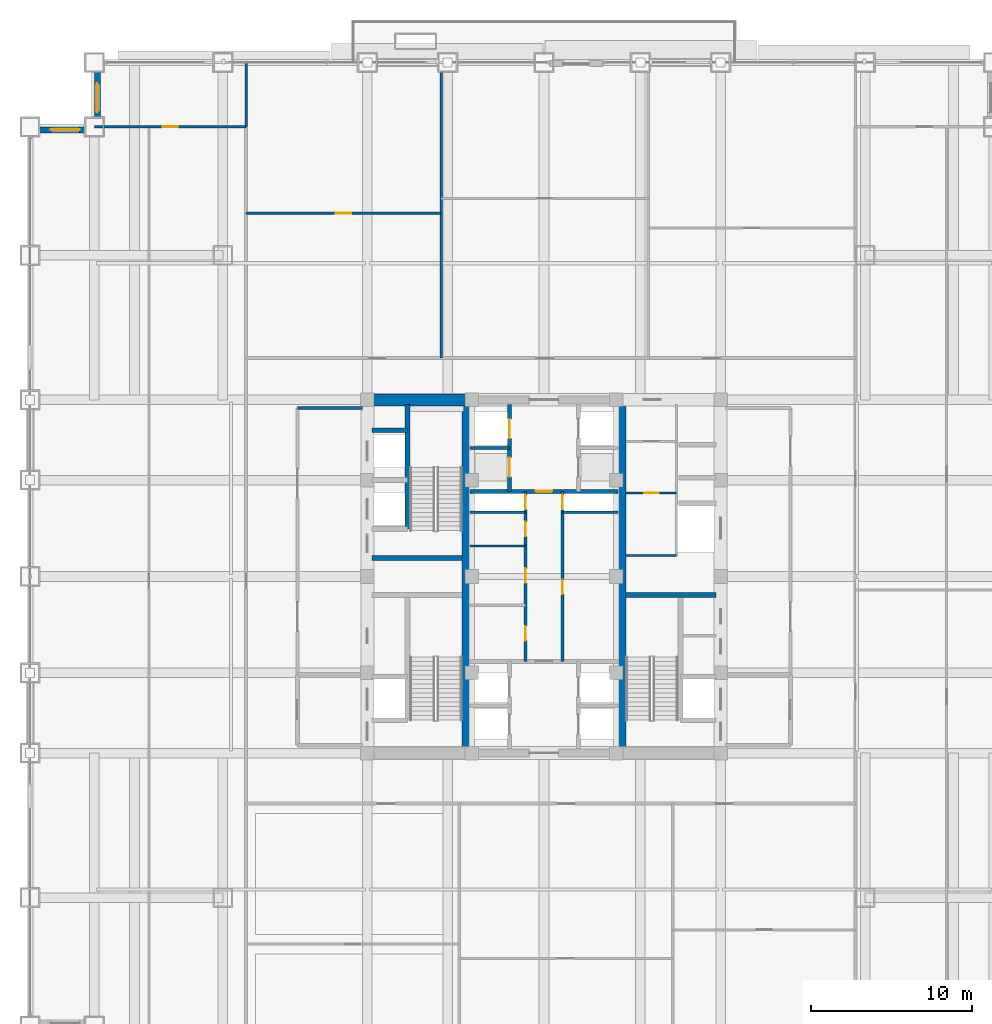
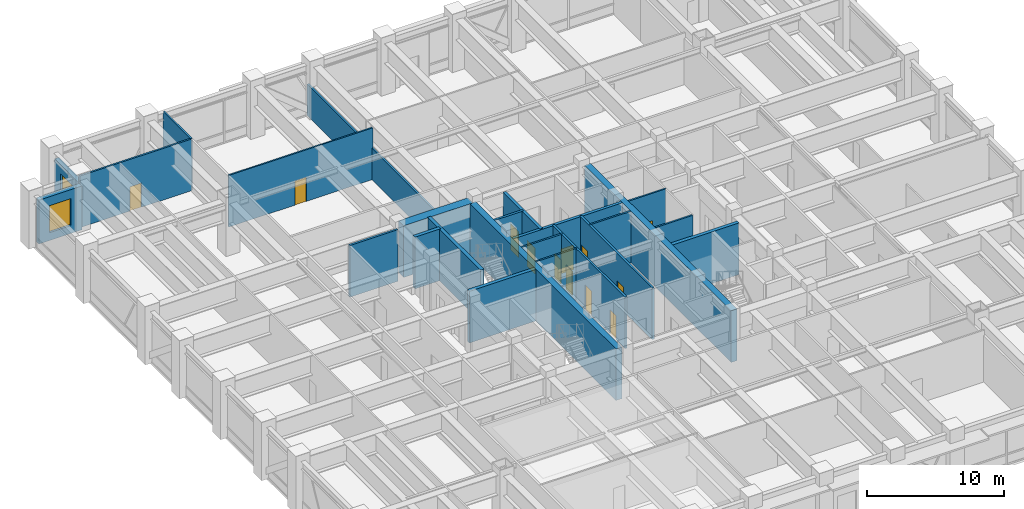
# One storey, part 26 of 34: 24 walls, 12 doors, 2 windows, 14 openings.
"""IFC4 building model written with IfcOpenShell, lengths in metres."""

from ifc_helpers import new_model, si_unit, direction, frame, frame_2d, origin, place, context, subcontext, project, spatial, rectangle, extrude, source, transform, mapped, material, layer, layer_set, type_object, element, fill, save


model = new_model("IFC4")

# Units and contexts
model_context = context("Model", 3, precision=1e-05, world=origin(), true_north=direction((0.0, 1.0)))
body_context = subcontext(model_context, "Body", "Model", "MODEL_VIEW")
ifc_project = project(units=[si_unit("LENGTHUNIT", "METRE"), si_unit("AREAUNIT", "SQUARE_METRE"), si_unit("VOLUMEUNIT", "CUBIC_METRE"), si_unit("PLANEANGLEUNIT", "RADIAN"), si_unit("MASSUNIT", "GRAM", prefix="KILO")], contexts=[model_context])

# Site, building, storey
site_placement = place(None, origin())
site = spatial("IfcSite", under=ifc_project, at=site_placement, CompositionType="ELEMENT")
building_placement = place(site_placement, origin())
building = spatial("IfcBuilding", under=site, at=building_placement, Name="Khorayat Bourse Tower", CompositionType="ELEMENT")
storey_placement = place(building_placement, frame((0.0, 0.0, 144.699951171875)))
storey = spatial("IfcBuildingStorey", under=building, at=storey_placement, Name="L33", CompositionType="ELEMENT", Elevation=144.699951171875)

# Walls
ifc_material_1 = material(Name="Concrete C52/65", Category="concrete")
ifc_layer_1 = layer(ifc_material_1, 0.5)
ifc_layer_set_1 = layer_set([ifc_layer_1], Name="Concrete C52/65")
wall_type_1 = type_object("IfcWallType", Name="WAL-CORE-500", PredefinedType="SHEAR", material=ifc_layer_set_1)
shared_shape_1 = source(origin(), body_context, "Body", "SweptSolid", [
    extrude(rectangle(XDim=21.39990234375, YDim=0.5, at=frame_2d((10.699951171875, 0.0))), origin(), (0.0, 0.0, 1.0), 4.60009765625),
])
for number, where, z_axis, x_axis, name in (
    (1, (-4.85009765625, -10.699951171875, 0.0), (0.0, 0.0, 1.0), (0.0, 1.0, 0.0), "L33 Core Shear Wall PIER-W"),
    (2, (4.85009765625, -10.699951171875, 0.0), (0.0, 0.0, 1.0), (0.0, 1.0, 0.0), "L33 Core Shear Wall PIER-E"),
):
    element("IfcWall", number, at=place(storey_placement, frame(where, z_axis=z_axis, x_axis=x_axis)), inside=storey, type_object=wall_type_1, Name=name, PredefinedType="SHEAR", context=body_context, shape_type="MappedRepresentation", body=[
        mapped(shared_shape_1, transform((0.0, 0.0, 0.0), scale=1.0)),
    ])
ifc_material_2 = material(Name="Concrete C72/90", Category="concrete")
ifc_layer_2 = layer(ifc_material_2, 0.75)
ifc_layer_set_2 = layer_set([ifc_layer_2], Name="Concrete C72/90")
wall_type_2 = type_object("IfcWallType", Name="WAL-CORE-750", PredefinedType="SHEAR", material=ifc_layer_set_2)
shared_shape_2 = source(origin(), body_context, "Body", "SweptSolid", [
    extrude(rectangle(XDim=5.849853515625, YDim=0.75, at=frame_2d((2.9248046875, 0.0))), origin(), (0.0, 0.0, 1.0), 4.60009765625),
])
wall_1_placement = place(storey_placement, frame((-10.699951171875, 11.0, 0.0), z_axis=(0.0, 0.0, 1.0), x_axis=(1.0, 0.0, 0.0)))
element("IfcWall", 3, at=wall_1_placement, inside=storey, type_object=wall_type_2, Name="L33 Core Shear Wall PIER-WN", PredefinedType="SHEAR", context=body_context, shape_type="MappedRepresentation", body=[
    mapped(shared_shape_2, transform((0.0, 0.0, 0.0), scale=1.0)),
])
ifc_material_3 = material(Name="Concrete C50/60", Category="concrete")
ifc_layer_3 = layer(ifc_material_3, 0.300048828125)
ifc_layer_set_3 = layer_set([ifc_layer_3], Name="Concrete C50/60")
wall_type_3 = type_object("IfcWallType", Name="WAL-SHAFT-300", PredefinedType="SHEAR", material=ifc_layer_set_3)
shared_shape_3 = source(origin(), body_context, "Body", "SweptSolid", [
    extrude(rectangle(XDim=5.599853515625, YDim=0.300048828125, at=frame_2d((2.7998046875, 0.0))), origin(), (0.0, 0.0, 1.0), 4.60009765625),
])
for number, where, z_axis, x_axis, name in (
    (4, (-10.699951171875, 1.14990234375, 0.0), (0.0, 0.0, 1.0), (1.0, 0.0, 0.0), "L33 Core Shear Wall ST2-DIV"),
    (5, (5.10009765625, -1.14990234375, 0.0), (0.0, 0.0, 1.0), (1.0, 0.0, 0.0), "L33 Core Shear Wall ST3-DIV"),
):
    element("IfcWall", number, at=place(storey_placement, frame(where, z_axis=z_axis, x_axis=x_axis)), inside=storey, type_object=wall_type_3, Name=name, PredefinedType="SHEAR", context=body_context, shape_type="MappedRepresentation", body=[
        mapped(shared_shape_3, transform((0.0, 0.0, 0.0), scale=1.0)),
    ])

# Wall, opening, window
ifc_material_4 = material(Name="Precast concrete C45/55", Category="concrete")
ifc_layer_4 = layer(ifc_material_4, 0.3798828125)
ifc_layer_set_4 = layer_set([ifc_layer_4], Name="Precast concrete C45/55")
wall_type_4 = type_object("IfcWallType", Name="WAL-EXT-STONE-380", PredefinedType="STANDARD", material=ifc_layer_set_4)
shared_shape_4 = source(origin(), body_context, "Body", "SweptSolid", [
    extrude(rectangle(XDim=3.6201171875, YDim=0.3798828125, at=frame_2d((1.81005859375, 0.0))), origin(), (0.0, 0.0, 1.0), 3.905029296875),
])
wall_2_placement = place(storey_placement, frame((-27.81005859375, 28.0, 0.0), z_axis=(0.0, 0.0, 1.0), x_axis=(0.0, 1.0, 0.0)))
wall_2 = element("IfcWall", 6, at=wall_2_placement, inside=storey, type_object=wall_type_4, Name="L33 Re-Entrant Notch Limestone Wall NW-V", PredefinedType="STANDARD", context=body_context, shape_type="MappedRepresentation", body=[
    mapped(shared_shape_4, transform((0.0, 0.0, 0.0), scale=1.0)),
])
shared_shape_5 = source(origin(), body_context, "Body", "SweptSolid", [
    extrude(rectangle(XDim=1.800048828125, YDim=2.39990234375, at=frame_2d((0.89990234375, 1.199951171875))), frame((0.0, 0.199951171875, 0.0), z_axis=(0.0, -1.0, 0.0), x_axis=(1.0, 0.0, 0.0)), (0.0, 0.0, 1.0), 0.39990234375),
])
opening_1_placement = place(wall_2_placement, frame((0.909912109375, 0.0, 0.699951171875)))
opening_1 = element("IfcOpeningElement", 7, at=opening_1_placement, cuts=wall_2, Name="Opening WN-04", PredefinedType="OPENING", context=body_context, shape_type="MappedRepresentation", body=[
    mapped(shared_shape_5, transform((0.0, 0.0, 0.0), scale=1.0)),
])
ifc_material_5 = material(Name="Low-E acoustic laminated double glazing", Category="glass")
window_type = type_object("IfcWindowType", Name="WIN-NOTCH-1800x2400", PartitioningType="SINGLE_PANEL", PredefinedType="WINDOW", material=ifc_material_5)
shared_shape_6 = source(origin(), body_context, "Body", "SweptSolid", [
    extrude(rectangle(XDim=1.800048828125, YDim=2.39990234375, at=frame_2d((0.89990234375, 1.199951171875))), frame((0.0, 0.030029296875, 0.0), z_axis=(0.0, -1.0, 0.0), x_axis=(1.0, 0.0, 0.0)), (0.0, 0.0, 1.0), 0.06005859375),
])
window_1_placement = place(opening_1_placement, origin())
window_1 = element("IfcWindow", 8, at=window_1_placement, inside=storey, type_object=window_type, Name="L33 Facade Window 1", OverallHeight=2.39990234375, OverallWidth=1.800048828125, PartitioningType="SINGLE_PANEL", PredefinedType="WINDOW", context=body_context, shape_type="MappedRepresentation", body=[
    mapped(shared_shape_6, transform((0.0, 0.0, 0.0), scale=1.0)),
])
fill(opening_1, window_1)

wall_3_placement = place(storey_placement, frame((-28.0, 27.81005859375, 0.0), z_axis=(0.0, 0.0, 1.0), x_axis=(-1.0, 0.0, 0.0)))
wall_3 = element("IfcWall", 9, at=wall_3_placement, inside=storey, type_object=wall_type_4, Name="L33 Re-Entrant Notch Limestone Wall NW-H", PredefinedType="STANDARD", context=body_context, shape_type="MappedRepresentation", body=[
    mapped(shared_shape_4, transform((0.0, 0.0, 0.0), scale=1.0)),
])
opening_2_placement = place(wall_3_placement, frame((0.909912109375, 0.0, 0.699951171875)))
opening_2 = element("IfcOpeningElement", 10, at=opening_2_placement, cuts=wall_3, Name="Opening WN-04", PredefinedType="OPENING", context=body_context, shape_type="MappedRepresentation", body=[
    mapped(shared_shape_5, transform((0.0, 0.0, 0.0), scale=1.0)),
])
window_2_placement = place(opening_2_placement, origin())
window_2 = element("IfcWindow", 11, at=window_2_placement, inside=storey, type_object=window_type, Name="L33 Facade Window 1", OverallHeight=2.39990234375, OverallWidth=1.800048828125, PartitioningType="SINGLE_PANEL", PredefinedType="WINDOW", context=body_context, shape_type="MappedRepresentation", body=[
    mapped(shared_shape_6, transform((0.0, 0.0, 0.0), scale=1.0)),
])
fill(opening_2, window_2)

# Walls
shared_shape_7 = source(origin(), body_context, "Body", "SweptSolid", [
    extrude(rectangle(XDim=2.199951171875, YDim=0.300048828125, at=frame_2d((1.10009765625, 0.0))), origin(), (0.0, 0.0, 1.0), 4.60009765625),
])
wall_4_placement = place(storey_placement, frame((-10.699951171875, 9.10009765625, 0.0), z_axis=(0.0, 0.0, 1.0), x_axis=(1.0, 0.0, 0.0)))
element("IfcWall", 12, at=wall_4_placement, inside=storey, type_object=wall_type_3, Name="L33 Partition WAL-L33-WPIER-H2N", PredefinedType="SHEAR", context=body_context, shape_type="MappedRepresentation", body=[
    mapped(shared_shape_7, transform((0.0, 0.0, 0.0), scale=1.0)),
])
shared_shape_8 = source(origin(), body_context, "Body", "SweptSolid", [
    extrude(rectangle(XDim=7.75, YDim=0.300048828125, at=frame_2d((3.875, 0.0))), origin(), (0.0, 0.0, 1.0), 4.60009765625),
])
wall_5_placement = place(storey_placement, frame((-8.5, 2.949951171875, 0.0), z_axis=(0.0, 0.0, 1.0), x_axis=(0.0, 1.0, 0.0)))
element("IfcWall", 13, at=wall_5_placement, inside=storey, type_object=wall_type_3, Name="L33 Partition WAL-L33-WPIER-ST2S", PredefinedType="SHEAR", context=body_context, shape_type="MappedRepresentation", body=[
    mapped(shared_shape_8, transform((0.0, 0.0, 0.0), scale=1.0)),
])
ifc_material_6 = material(Name="Moisture-resistant masonry partition", Category="masonry")
ifc_layer_5 = layer(ifc_material_6, 0.139892578125)
ifc_layer_set_5 = layer_set([ifc_layer_5], Name="Moisture-resistant masonry partition")
wall_type_5 = type_object("IfcWallType", Name="WAL-PART-WET-140", PredefinedType="PARTITIONING", material=ifc_layer_set_5)
shared_shape_9 = source(origin(), body_context, "Body", "SweptSolid", [
    extrude(rectangle(XDim=3.14990234375, YDim=0.139892578125, at=frame_2d((1.574951171875, 0.0))), origin(), (0.0, 0.0, 1.0), 4.60009765625),
])
wall_6_placement = place(storey_placement, frame((5.10009765625, 1.300048828125, 0.0), z_axis=(0.0, 0.0, 1.0), x_axis=(1.0, 0.0, 0.0)))
element("IfcWall", 14, at=wall_6_placement, inside=storey, type_object=wall_type_5, Name="L33 Partition WAL-L33-ECORE-S", PredefinedType="PARTITIONING", context=body_context, shape_type="MappedRepresentation", body=[
    mapped(shared_shape_9, transform((0.0, 0.0, 0.0), scale=1.0)),
])

# Wall, opening, door
wall_7_placement = place(storey_placement, frame((5.10009765625, 5.199951171875, 0.0), z_axis=(0.0, 0.0, 1.0), x_axis=(1.0, 0.0, 0.0)))
wall_7 = element("IfcWall", 15, at=wall_7_placement, inside=storey, type_object=wall_type_5, Name="L33 Partition WAL-L33-ECW-HZ", PredefinedType="PARTITIONING", context=body_context, shape_type="MappedRepresentation", body=[
    mapped(shared_shape_9, transform((0.0, 0.0, 0.0), scale=1.0)),
])
shared_shape_10 = source(origin(), body_context, "Body", "SweptSolid", [
    extrude(rectangle(XDim=0.89990234375, YDim=2.14990234375, at=frame_2d((0.449951171875, 1.074951171875))), frame((0.0, 0.079833984375, 0.0), z_axis=(0.0, -1.0, 0.0), x_axis=(1.0, 0.0, 0.0)), (0.0, 0.0, 1.0), 0.159912109375),
])
opening_3_placement = place(wall_7_placement, frame((1.1298828125, 0.0, 0.0)))
opening_3 = element("IfcOpeningElement", 16, at=opening_3_placement, cuts=wall_7, Name="Opening DI-06", PredefinedType="OPENING", context=body_context, shape_type="MappedRepresentation", body=[
    mapped(shared_shape_10, transform((0.0, 0.0, 0.0), scale=1.0)),
])
ifc_material_7 = material(Name="Moisture-resistant laminate washroom door")
door_type_1 = type_object("IfcDoorType", Name="DR-INT-WC-900", OperationType="NOTDEFINED", PredefinedType="DOOR", material=ifc_material_7)
shared_shape_11 = source(origin(), body_context, "Body", "SweptSolid", [
    extrude(rectangle(XDim=0.89990234375, YDim=2.14990234375, at=frame_2d((0.449951171875, 1.074951171875))), frame((0.0, 0.02490234375, 0.0), z_axis=(0.0, -1.0, 0.0), x_axis=(1.0, 0.0, 0.0)), (0.0, 0.0, 1.0), 0.050048828125),
])
door_1_placement = place(opening_3_placement, origin())
door_1 = element("IfcDoor", 17, at=door_1_placement, inside=storey, type_object=door_type_1, Name="L33 Shared Washroom Door", OperationType="SINGLE_SWING_RIGHT", OverallHeight=2.14990234375, OverallWidth=0.89990234375, PredefinedType="DOOR", context=body_context, shape_type="MappedRepresentation", body=[
    mapped(shared_shape_11, transform((0.0, 0.0, 0.0), scale=1.0)),
])
fill(opening_3, door_1)

# Walls
ifc_material_8 = material(Name="Gypsum plasterboard acoustic stud wall")
ifc_layer_6 = layer(ifc_material_8, 0.179931640625)
ifc_layer_set_6 = layer_set([ifc_layer_6], Name="Gypsum plasterboard acoustic stud wall")
wall_type_6 = type_object("IfcWallType", Name="WAL-PART-CORR-180", PredefinedType="PARTITIONING", material=ifc_layer_set_6)
shared_shape_12 = source(origin(), body_context, "Body", "SweptSolid", [
    extrude(rectangle(XDim=4.050048828125, YDim=0.179931640625, at=frame_2d((2.02490234375, 0.0))), origin(), (0.0, 0.0, 1.0), 4.60009765625),
])
wall_8_placement = place(storey_placement, frame((-15.35009765625, 10.5, 0.0), z_axis=(0.0, 0.0, 1.0), x_axis=(1.0, 0.0, 0.0)))
element("IfcWall", 18, at=wall_8_placement, inside=storey, type_object=wall_type_6, Name="L33 Partition WAL-L33-WLOB-N", PredefinedType="PARTITIONING", context=body_context, shape_type="MappedRepresentation", body=[
    mapped(shared_shape_12, transform((0.0, 0.0, 0.0), scale=1.0)),
])
ifc_material_9 = material(Name="Gypsum plasterboard twin-frame partition")
ifc_layer_7 = layer(ifc_material_9, 0.14990234375)
ifc_layer_set_7 = layer_set([ifc_layer_7], Name="Gypsum plasterboard twin-frame partition")
wall_type_7 = type_object("IfcWallType", Name="WAL-PART-SUITE-150", PredefinedType="PARTITIONING", material=ifc_layer_set_7)
shared_shape_13 = source(origin(), body_context, "Body", "SweptSolid", [
    extrude(rectangle(XDim=3.4501953125, YDim=0.14990234375, at=frame_2d((1.72509765625, 0.0))), origin(), (0.0, 0.0, 1.0), 4.60009765625),
])
for number, where, z_axis, x_axis, name in (
    (19, (-4.60009765625, 4.0, 0.0), (0.0, 0.0, 1.0), (1.0, 0.0, 0.0), "L33 Partition WAL-L33-CRSW-S"),
    (20, (1.14990234375, 4.0, 0.0), (0.0, 0.0, 1.0), (1.0, 0.0, 0.0), "L33 Partition WAL-L33-CRSE-S"),
):
    element("IfcWall", number, at=place(storey_placement, frame(where, z_axis=z_axis, x_axis=x_axis)), inside=storey, type_object=wall_type_7, Name=name, PredefinedType="PARTITIONING", context=body_context, shape_type="MappedRepresentation", body=[
        mapped(shared_shape_13, transform((0.0, 0.0, 0.0), scale=1.0)),
    ])

# Wall, openings, doors
shared_shape_14 = source(origin(), body_context, "Body", "SweptSolid", [
    extrude(rectangle(XDim=5.39990234375, YDim=0.25, at=frame_2d((2.699951171875, 0.0))), origin(), (0.0, 0.0, 1.0), 4.60009765625),
])
wall_9_placement = place(storey_placement, frame((-2.14990234375, 5.300048828125, 0.0), z_axis=(0.0, 0.0, 1.0), x_axis=(0.0, 1.0, 0.0)))
wall_9 = element("IfcWall", 21, at=wall_9_placement, inside=storey, type_object=wall_type_3, Name="L33 Partition WAL-L33-B2-W", PredefinedType="SHEAR", context=body_context, shape_type="MappedRepresentation", body=[
    mapped(shared_shape_14, transform((0.0, 0.0, 0.0), scale=1.0)),
])
shared_shape_15 = source(origin(), body_context, "Body", "SweptSolid", [
    extrude(rectangle(XDim=1.199951171875, YDim=2.300048828125, at=frame_2d((0.60009765625, 1.14990234375))), frame((0.0, 0.135009765625, 0.0), z_axis=(0.0, -1.0, 0.0), x_axis=(1.0, 0.0, 0.0)), (0.0, 0.0, 1.0), 0.27001953125),
])
opening_4_placement = place(wall_9_placement, frame((3.300048828125, 0.0, 0.0)))
opening_4 = element("IfcOpeningElement", 22, at=opening_4_placement, cuts=wall_9, Name="Opening LD-01", PredefinedType="OPENING", context=body_context, shape_type="MappedRepresentation", body=[
    mapped(shared_shape_15, transform((0.0, 0.0, 0.0), scale=1.0)),
])
opening_5_placement = place(wall_9_placement, frame((0.89990234375, 0.0, 0.0)))
opening_5 = element("IfcOpeningElement", 23, at=opening_5_placement, cuts=wall_9, Name="Opening LD-01", PredefinedType="OPENING", context=body_context, shape_type="MappedRepresentation", body=[
    mapped(shared_shape_15, transform((0.0, 0.0, 0.0), scale=1.0)),
])
ifc_material_10 = material(Name="Brushed bronze stainless-steel sliding door", Category="steel")
door_type_2 = type_object("IfcDoorType", Name="DR-LIFT-PASS-1200", OperationType="NOTDEFINED", PredefinedType="DOOR", material=ifc_material_10)
shared_shape_16 = source(origin(), body_context, "Body", "SweptSolid", [
    extrude(rectangle(XDim=1.199951171875, YDim=2.300048828125, at=frame_2d((0.60009765625, 1.14990234375))), frame((0.0, 0.02490234375, 0.0), z_axis=(0.0, -1.0, 0.0), x_axis=(1.0, 0.0, 0.0)), (0.0, 0.0, 1.0), 0.050048828125),
])
door_2_placement = place(opening_4_placement, origin())
door_2 = element("IfcDoor", 24, at=door_2_placement, inside=storey, type_object=door_type_2, Name="L33 Lift PL-M1 Sliding Landing Door", OperationType="SLIDING_TO_LEFT", OverallHeight=2.300048828125, OverallWidth=1.199951171875, PredefinedType="DOOR", context=body_context, shape_type="MappedRepresentation", body=[
    mapped(shared_shape_16, transform((0.0, 0.0, 0.0), scale=1.0)),
])
fill(opening_4, door_2)
door_3_placement = place(opening_5_placement, origin())
door_3 = element("IfcDoor", 25, at=door_3_placement, inside=storey, type_object=door_type_2, Name="L33 Lift PL-M3 Sliding Landing Door", OperationType="SLIDING_TO_LEFT", OverallHeight=2.300048828125, OverallWidth=1.199951171875, PredefinedType="DOOR", context=body_context, shape_type="MappedRepresentation", body=[
    mapped(shared_shape_16, transform((0.0, 0.0, 0.0), scale=1.0)),
])
fill(opening_5, door_3)

# Wall
shared_shape_17 = source(origin(), body_context, "Body", "SweptSolid", [
    extrude(rectangle(XDim=2.4501953125, YDim=0.199951171875, at=frame_2d((1.22509765625, 0.0))), origin(), (0.0, 0.0, 1.0), 4.60009765625),
])
wall_10_placement = place(storey_placement, frame((-4.60009765625, 8.0, 0.0), z_axis=(0.0, 0.0, 1.0), x_axis=(1.0, 0.0, 0.0)))
element("IfcWall", 26, at=wall_10_placement, inside=storey, type_object=wall_type_3, Name="L33 Partition WAL-L33-B2-MW", PredefinedType="SHEAR", context=body_context, shape_type="MappedRepresentation", body=[
    mapped(shared_shape_17, transform((0.0, 0.0, 0.0), scale=1.0)),
])

# Wall, opening, door
shared_shape_18 = source(origin(), body_context, "Body", "SweptSolid", [
    extrude(rectangle(XDim=9.2001953125, YDim=0.25, at=frame_2d((4.60009765625, 0.0))), origin(), (0.0, 0.0, 1.0), 4.60009765625),
])
wall_11_placement = place(storey_placement, frame((-4.60009765625, 5.300048828125, 0.0), z_axis=(0.0, 0.0, 1.0), x_axis=(1.0, 0.0, 0.0)))
wall_11 = element("IfcWall", 27, at=wall_11_placement, inside=storey, type_object=wall_type_3, Name="L33 Partition WAL-L33-B2-S", PredefinedType="SHEAR", context=body_context, shape_type="MappedRepresentation", body=[
    mapped(shared_shape_18, transform((0.0, 0.0, 0.0), scale=1.0)),
])
shared_shape_19 = source(origin(), body_context, "Body", "SweptSolid", [
    extrude(rectangle(XDim=1.050048828125, YDim=2.199951171875, at=frame_2d((0.52490234375, 1.10009765625))), frame((0.0, 0.135009765625, 0.0), z_axis=(0.0, -1.0, 0.0), x_axis=(1.0, 0.0, 0.0)), (0.0, 0.0, 1.0), 0.27001953125),
])
opening_6_placement = place(wall_11_placement, frame((4.074951171875, 0.0, 0.0)))
opening_6 = element("IfcOpeningElement", 28, at=opening_6_placement, cuts=wall_11, Name="Opening DI-04", PredefinedType="OPENING", context=body_context, shape_type="MappedRepresentation", body=[
    mapped(shared_shape_19, transform((0.0, 0.0, 0.0), scale=1.0)),
])
ifc_material_11 = material(Name="Fire-rated oak veneer suite entrance door")
door_type_3 = type_object("IfcDoorType", Name="DR-INT-SUITE-1050", OperationType="NOTDEFINED", PredefinedType="DOOR", material=ifc_material_11)
shared_shape_20 = source(origin(), body_context, "Body", "SweptSolid", [
    extrude(rectangle(XDim=1.050048828125, YDim=2.199951171875, at=frame_2d((0.52490234375, 1.10009765625))), frame((0.0, 0.02490234375, 0.0), z_axis=(0.0, -1.0, 0.0), x_axis=(1.0, 0.0, 0.0)), (0.0, 0.0, 1.0), 0.050048828125),
])
door_4_placement = place(opening_6_placement, origin())
door_4 = element("IfcDoor", 29, at=door_4_placement, inside=storey, type_object=door_type_3, Name="L33 Core Spine North Door", OperationType="SINGLE_SWING_RIGHT", OverallHeight=2.199951171875, OverallWidth=1.050048828125, PredefinedType="DOOR", context=body_context, shape_type="MappedRepresentation", body=[
    mapped(shared_shape_20, transform((0.0, 0.0, 0.0), scale=1.0)),
])
fill(opening_6, door_4)

# Wall
shared_shape_21 = source(origin(), body_context, "Body", "SweptSolid", [
    extrude(rectangle(XDim=3.4501953125, YDim=0.139892578125, at=frame_2d((1.72509765625, 0.0))), origin(), (0.0, 0.0, 1.0), 4.60009765625),
])
wall_12_placement = place(storey_placement, frame((-4.60009765625, 1.89990234375, 0.0), z_axis=(0.0, 0.0, 1.0), x_axis=(1.0, 0.0, 0.0)))
element("IfcWall", 30, at=wall_12_placement, inside=storey, type_object=wall_type_5, Name="L33 Partition WAL-L33-CMW-D2", PredefinedType="PARTITIONING", context=body_context, shape_type="MappedRepresentation", body=[
    mapped(shared_shape_21, transform((0.0, 0.0, 0.0), scale=1.0)),
])

# Wall, openings, doors
shared_shape_22 = source(origin(), body_context, "Body", "SweptSolid", [
    extrude(rectangle(XDim=10.60009765625, YDim=0.179931640625, at=frame_2d((5.300048828125, 0.0))), origin(), (0.0, 0.0, 1.0), 4.60009765625),
])
wall_13_placement = place(storey_placement, frame((-1.14990234375, -5.300048828125, 0.0), z_axis=(0.0, 0.0, 1.0), x_axis=(0.0, 1.0, 0.0)))
wall_13 = element("IfcWall", 31, at=wall_13_placement, inside=storey, type_object=wall_type_6, Name="L33 Partition WAL-L33-CMW-L", PredefinedType="PARTITIONING", context=body_context, shape_type="MappedRepresentation", body=[
    mapped(shared_shape_22, transform((0.0, 0.0, 0.0), scale=1.0)),
])
shared_shape_23 = source(origin(), body_context, "Body", "SweptSolid", [
    extrude(rectangle(XDim=0.89990234375, YDim=2.14990234375, at=frame_2d((0.449951171875, 1.074951171875))), frame((0.0, 0.099853515625, 0.0), z_axis=(0.0, -1.0, 0.0), x_axis=(1.0, 0.0, 0.0)), (0.0, 0.0, 1.0), 0.199951171875),
])
opening_7_placement = place(wall_13_placement, frame((1.300048828125, 0.0, 0.0)))
opening_7 = element("IfcOpeningElement", 32, at=opening_7_placement, cuts=wall_13, Name="Opening DI-06", PredefinedType="OPENING", context=body_context, shape_type="MappedRepresentation", body=[
    mapped(shared_shape_23, transform((0.0, 0.0, 0.0), scale=1.0)),
])
opening_8_placement = place(wall_13_placement, frame((4.89990234375, 0.0, 0.0)))
opening_8 = element("IfcOpeningElement", 33, at=opening_8_placement, cuts=wall_13, Name="Opening DI-06", PredefinedType="OPENING", context=body_context, shape_type="MappedRepresentation", body=[
    mapped(shared_shape_23, transform((0.0, 0.0, 0.0), scale=1.0)),
])
opening_9_placement = place(wall_13_placement, frame((7.800048828125, 0.0, 0.0)))
opening_9 = element("IfcOpeningElement", 34, at=opening_9_placement, cuts=wall_13, Name="Opening DI-06", PredefinedType="OPENING", context=body_context, shape_type="MappedRepresentation", body=[
    mapped(shared_shape_23, transform((0.0, 0.0, 0.0), scale=1.0)),
])
opening_10_placement = place(wall_13_placement, frame((9.47509765625, 0.0, 0.0)))
opening_10 = element("IfcOpeningElement", 35, at=opening_10_placement, cuts=wall_13, Name="Opening DI-06", PredefinedType="OPENING", context=body_context, shape_type="MappedRepresentation", body=[
    mapped(shared_shape_23, transform((0.0, 0.0, 0.0), scale=1.0)),
])
door_5_placement = place(opening_7_placement, origin())
door_5 = element("IfcDoor", 36, at=door_5_placement, inside=storey, type_object=door_type_1, Name="L33 Male Core Washroom Door", OperationType="SINGLE_SWING_RIGHT", OverallHeight=2.14990234375, OverallWidth=0.89990234375, PredefinedType="DOOR", context=body_context, shape_type="MappedRepresentation", body=[
    mapped(shared_shape_11, transform((0.0, 0.0, 0.0), scale=1.0)),
])
fill(opening_7, door_5)
door_6_placement = place(opening_8_placement, origin())
door_6 = element("IfcDoor", 37, at=door_6_placement, inside=storey, type_object=door_type_1, Name="L33 AHU Fan Plant Room Door", OperationType="SINGLE_SWING_LEFT", OverallHeight=2.14990234375, OverallWidth=0.89990234375, PredefinedType="DOOR", context=body_context, shape_type="MappedRepresentation", body=[
    mapped(shared_shape_11, transform((0.0, 0.0, 0.0), scale=1.0)),
])
fill(opening_8, door_6)
door_7_placement = place(opening_9_placement, origin())
door_7 = element("IfcDoor", 38, at=door_7_placement, inside=storey, type_object=door_type_1, Name="L33 Janitor Store Door", OperationType="SINGLE_SWING_RIGHT", OverallHeight=2.14990234375, OverallWidth=0.89990234375, PredefinedType="DOOR", context=body_context, shape_type="MappedRepresentation", body=[
    mapped(shared_shape_11, transform((0.0, 0.0, 0.0), scale=1.0)),
])
fill(opening_9, door_7)
door_8_placement = place(opening_10_placement, origin())
door_8 = element("IfcDoor", 39, at=door_8_placement, inside=storey, type_object=door_type_1, Name="L33 West Core Riser Door", OperationType="SINGLE_SWING_LEFT", OverallHeight=2.14990234375, OverallWidth=0.89990234375, PredefinedType="DOOR", context=body_context, shape_type="MappedRepresentation", body=[
    mapped(shared_shape_11, transform((0.0, 0.0, 0.0), scale=1.0)),
])
fill(opening_10, door_8)

wall_14_placement = place(storey_placement, frame((1.14990234375, -5.300048828125, 0.0), z_axis=(0.0, 0.0, 1.0), x_axis=(0.0, 1.0, 0.0)))
wall_14 = element("IfcWall", 40, at=wall_14_placement, inside=storey, type_object=wall_type_6, Name="L33 Partition WAL-L33-CME-L", PredefinedType="PARTITIONING", context=body_context, shape_type="MappedRepresentation", body=[
    mapped(shared_shape_22, transform((0.0, 0.0, 0.0), scale=1.0)),
])
opening_11_placement = place(wall_14_placement, frame((4.199951171875, 0.0, 0.0)))
opening_11 = element("IfcOpeningElement", 41, at=opening_11_placement, cuts=wall_14, Name="Opening DI-06", PredefinedType="OPENING", context=body_context, shape_type="MappedRepresentation", body=[
    mapped(shared_shape_23, transform((0.0, 0.0, 0.0), scale=1.0)),
])
opening_12_placement = place(wall_14_placement, frame((9.47509765625, 0.0, 0.0)))
opening_12 = element("IfcOpeningElement", 42, at=opening_12_placement, cuts=wall_14, Name="Opening DI-06", PredefinedType="OPENING", context=body_context, shape_type="MappedRepresentation", body=[
    mapped(shared_shape_23, transform((0.0, 0.0, 0.0), scale=1.0)),
])
door_9_placement = place(opening_11_placement, origin())
door_9 = element("IfcDoor", 43, at=door_9_placement, inside=storey, type_object=door_type_1, Name="L33 Female Core Washroom Door", OperationType="SINGLE_SWING_RIGHT", OverallHeight=2.14990234375, OverallWidth=0.89990234375, PredefinedType="DOOR", context=body_context, shape_type="MappedRepresentation", body=[
    mapped(shared_shape_11, transform((0.0, 0.0, 0.0), scale=1.0)),
])
fill(opening_11, door_9)
door_10_placement = place(opening_12_placement, origin())
door_10 = element("IfcDoor", 44, at=door_10_placement, inside=storey, type_object=door_type_1, Name="L33 East Core Riser Door", OperationType="SINGLE_SWING_RIGHT", OverallHeight=2.14990234375, OverallWidth=0.89990234375, PredefinedType="DOOR", context=body_context, shape_type="MappedRepresentation", body=[
    mapped(shared_shape_11, transform((0.0, 0.0, 0.0), scale=1.0)),
])
fill(opening_12, door_10)

# Wall, opening, door
ifc_material_12 = material(Name="Gypsum plasterboard partition")
ifc_layer_8 = layer(ifc_material_12, 0.125)
ifc_layer_set_8 = layer_set([ifc_layer_8], Name="Gypsum plasterboard partition")
wall_type_8 = type_object("IfcWallType", Name="WAL-PART-ROOM-125", PredefinedType="PARTITIONING", material=ifc_layer_set_8)
shared_shape_24 = source(origin(), body_context, "Body", "SweptSolid", [
    extrude(rectangle(XDim=12.14404296875, YDim=0.125, at=frame_2d((6.072021484375, 0.0))), origin(), (0.0, 0.0, 1.0), 4.60009765625),
])
wall_15_placement = place(storey_placement, frame((-18.550048828125, 22.615966796875, 0.0), z_axis=(0.0, 0.0, 1.0), x_axis=(1.0, 0.0, 0.0)))
wall_15 = element("IfcWall", 45, at=wall_15_placement, inside=storey, type_object=wall_type_8, Name="L33 Partition WAL-L33-NDP-1", PredefinedType="PARTITIONING", context=body_context, shape_type="MappedRepresentation", body=[
    mapped(shared_shape_24, transform((0.0, 0.0, 0.0), scale=1.0)),
])
shared_shape_25 = source(origin(), body_context, "Body", "SweptSolid", [
    extrude(rectangle(XDim=0.949951171875, YDim=2.14990234375, at=frame_2d((0.47509765625, 1.074951171875))), frame((0.0, 0.072509765625, 0.0), z_axis=(0.0, -1.0, 0.0), x_axis=(1.0, 0.0, 0.0)), (0.0, 0.0, 1.0), 0.14501953125),
])
opening_13_placement = place(wall_15_placement, frame((5.596923828125, 0.0, 0.0)))
opening_13 = element("IfcOpeningElement", 46, at=opening_13_placement, cuts=wall_15, Name="Opening DI-05", PredefinedType="OPENING", context=body_context, shape_type="MappedRepresentation", body=[
    mapped(shared_shape_25, transform((0.0, 0.0, 0.0), scale=1.0)),
])
ifc_material_13 = material(Name="Acoustic oak veneer office door")
door_type_4 = type_object("IfcDoorType", Name="DR-INT-OFFICE-950", OperationType="NOTDEFINED", PredefinedType="DOOR", material=ifc_material_13)
shared_shape_26 = source(origin(), body_context, "Body", "SweptSolid", [
    extrude(rectangle(XDim=0.949951171875, YDim=2.14990234375, at=frame_2d((0.47509765625, 1.074951171875))), frame((0.0, 0.02490234375, 0.0), z_axis=(0.0, -1.0, 0.0), x_axis=(1.0, 0.0, 0.0)), (0.0, 0.0, 1.0), 0.050048828125),
])
door_11_placement = place(opening_13_placement, origin())
door_11 = element("IfcDoor", 47, at=door_11_placement, inside=storey, type_object=door_type_4, Name="L33 Catering Servery Kitchen N1B Door", OperationType="SINGLE_SWING_RIGHT", OverallHeight=2.14990234375, OverallWidth=0.949951171875, PredefinedType="DOOR", context=body_context, shape_type="MappedRepresentation", body=[
    mapped(shared_shape_26, transform((0.0, 0.0, 0.0), scale=1.0)),
])
fill(opening_13, door_11)

# Walls
shared_shape_27 = source(origin(), body_context, "Body", "SweptSolid", [
    extrude(rectangle(XDim=18.39990234375, YDim=0.14990234375, at=frame_2d((9.199951171875, 0.0))), origin(), (0.0, 0.0, 1.0), 2.800048828125),
])
wall_16_placement = place(storey_placement, frame((-6.406005859375, 13.60009765625, 0.0), z_axis=(0.0, 0.0, 1.0), x_axis=(0.0, 1.0, 0.0)))
element("IfcWall", 48, at=wall_16_placement, inside=storey, type_object=wall_type_7, Name="L33 Partition WAL-L33-NDV-1", PredefinedType="PARTITIONING", context=body_context, shape_type="MappedRepresentation", body=[
    mapped(shared_shape_27, transform((0.0, 0.0, 0.0), scale=1.0)),
])
shared_shape_28 = source(origin(), body_context, "Body", "SweptSolid", [
    extrude(rectangle(XDim=4.0, YDim=0.14990234375, at=frame_2d((2.0, 0.0))), origin(), (0.0, 0.0, 1.0), 4.60009765625),
])
wall_17_placement = place(storey_placement, frame((-18.550048828125, 28.0, 0.0), z_axis=(0.0, 0.0, 1.0), x_axis=(0.0, 1.0, 0.0)))
element("IfcWall", 49, at=wall_17_placement, inside=storey, type_object=wall_type_7, Name="L33 Partition WAL-L33-NCW-END", PredefinedType="PARTITIONING", context=body_context, shape_type="MappedRepresentation", body=[
    mapped(shared_shape_28, transform((0.0, 0.0, 0.0), scale=1.0)),
])

# Wall, opening, door
shared_shape_29 = source(origin(), body_context, "Body", "SweptSolid", [
    extrude(rectangle(XDim=9.449951171875, YDim=0.14990234375, at=frame_2d((4.72509765625, 0.0))), origin(), (0.0, 0.0, 1.0), 4.60009765625),
])
wall_18_placement = place(storey_placement, frame((-28.0, 28.0, 0.0), z_axis=(0.0, 0.0, 1.0), x_axis=(1.0, 0.0, 0.0)))
wall_18 = element("IfcWall", 50, at=wall_18_placement, inside=storey, type_object=wall_type_7, Name="L33 Partition WAL-L33-CNW", PredefinedType="PARTITIONING", context=body_context, shape_type="MappedRepresentation", body=[
    mapped(shared_shape_29, transform((0.0, 0.0, 0.0), scale=1.0)),
])
shared_shape_30 = source(origin(), body_context, "Body", "SweptSolid", [
    extrude(rectangle(XDim=0.949951171875, YDim=2.14990234375, at=frame_2d((0.47509765625, 1.074951171875))), frame((0.0, 0.0849609375, 0.0), z_axis=(0.0, -1.0, 0.0), x_axis=(1.0, 0.0, 0.0)), (0.0, 0.0, 1.0), 0.169921875),
])
opening_14_placement = place(wall_18_placement, frame((4.25, 0.0, 0.0)))
opening_14 = element("IfcOpeningElement", 51, at=opening_14_placement, cuts=wall_18, Name="Opening DI-05", PredefinedType="OPENING", context=body_context, shape_type="MappedRepresentation", body=[
    mapped(shared_shape_30, transform((0.0, 0.0, 0.0), scale=1.0)),
])
door_12_placement = place(opening_14_placement, origin())
door_12 = element("IfcDoor", 52, at=door_12_placement, inside=storey, type_object=door_type_4, Name="L33 North-West Corner Meeting Room Door", OperationType="SINGLE_SWING_LEFT", OverallHeight=2.14990234375, OverallWidth=0.949951171875, PredefinedType="DOOR", context=body_context, shape_type="MappedRepresentation", body=[
    mapped(shared_shape_26, transform((0.0, 0.0, 0.0), scale=1.0)),
])
fill(opening_14, door_12)

save(model, "model.ifc")
